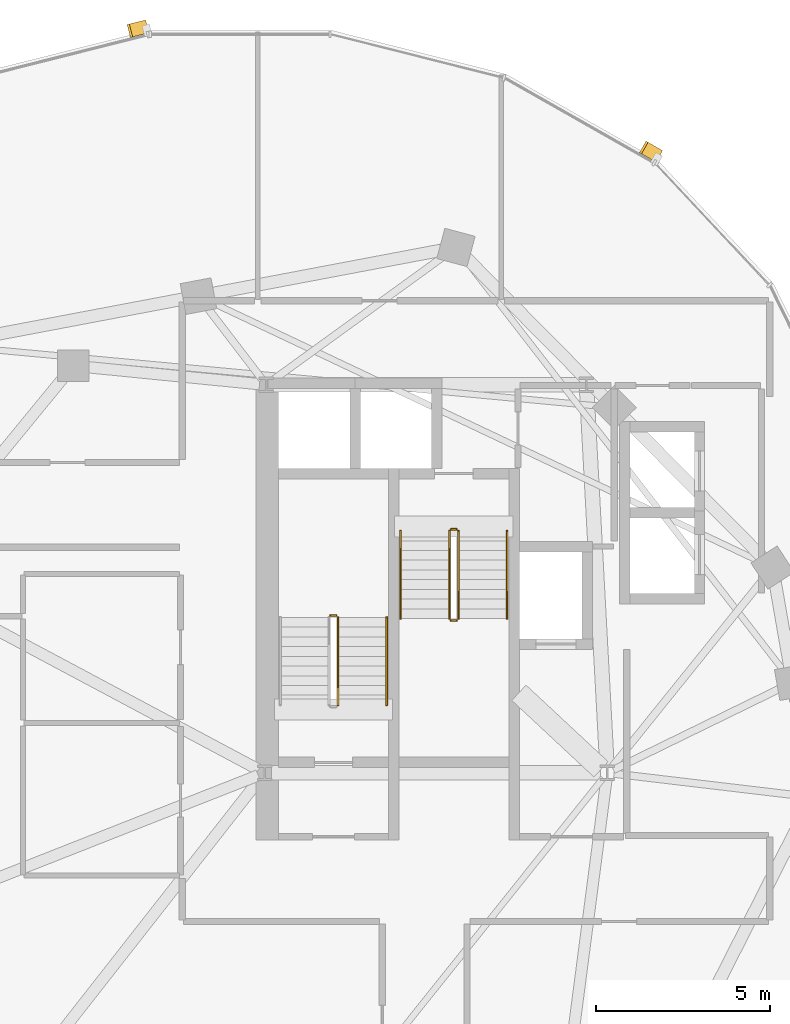
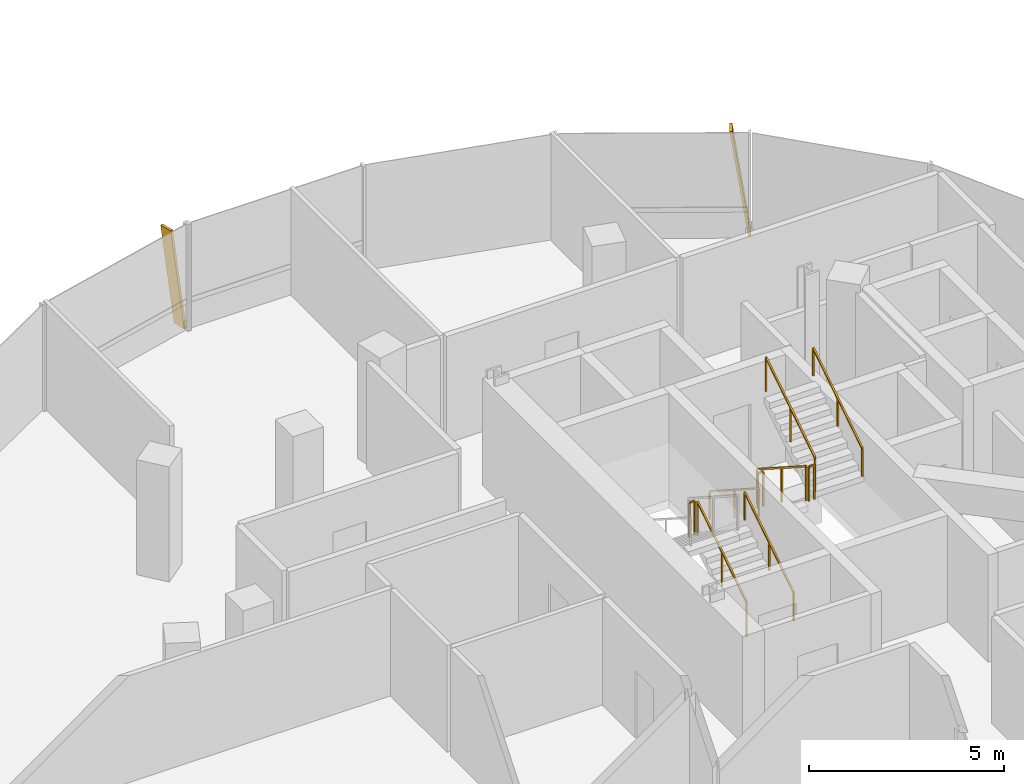
# One storey, part 23 of 25: 9 railings, 2 shading devices.
"""IFC4 building model written with IfcOpenShell, lengths in metres."""

from ifc_helpers import new_model, si_unit, direction, frame, origin, origin_2d, place, context, subcontext, project, spatial, rectangle, extrude, material, material_profile, profile_set, type_object, element, save


model = new_model("IFC4")

# Units and contexts
model_context = context("Model", 3, precision=1e-05, world=origin(), true_north=direction((0.0, 1.0)))
body_context = subcontext(model_context, "Body", "Model", "MODEL_VIEW")
ifc_project = project(units=[si_unit("LENGTHUNIT", "METRE"), si_unit("AREAUNIT", "SQUARE_METRE"), si_unit("VOLUMEUNIT", "CUBIC_METRE"), si_unit("PLANEANGLEUNIT", "RADIAN"), si_unit("MASSUNIT", "GRAM", prefix="KILO"), si_unit("THERMODYNAMICTEMPERATUREUNIT", "KELVIN"), si_unit("POWERUNIT", "WATT")], contexts=[model_context])

# Site, building, storey
site_placement = place(None, origin())
site = spatial("IfcSite", under=ifc_project, at=site_placement, CompositionType="ELEMENT")
building_placement = place(site_placement, origin())
building = spatial("IfcBuilding", under=site, at=building_placement, Name="Cundina Bronze Exchange", CompositionType="ELEMENT")
storey_placement = place(building_placement, frame((0.0, 0.0, 220.60009765625)))
storey = spatial("IfcBuildingStorey", under=building, at=storey_placement, Name="L58", CompositionType="ELEMENT", Elevation=220.60009765625)

# Railings
ifc_material_1 = material(Name="Steel ASTM A36 Painted", Category="steel")
railing_type_1 = type_object("IfcRailingType", Name="RLG-HND-900", PredefinedType="HANDRAIL", material=ifc_material_1)
railing_1_placement = place(storey_placement, frame((-27.7900390625, 5.85009765625, 0.179931640625)))
element("IfcRailing", 1, at=railing_1_placement, inside=storey, type_object=railing_type_1, Name="L58 ST-W1 stair handrail 1", PredefinedType="HANDRAIL", context=body_context, shape_type="SweptSolid", body=[
    extrude(rectangle(XDim=0.048095703125, YDim=0.048095703125, at=origin_2d()), frame((0.0, 0.0, 0.8759765625), z_axis=(0.0, 0.841199657755, 0.540724639528), x_axis=(-1.0, 0.0, 0.0)), (0.0, 0.0, 1.0), 2.995849609375),
    extrude(rectangle(XDim=0.0419921875, YDim=0.0419921875, at=origin_2d()), origin(), (0.0, 0.0, 1.0), 0.851806640625),
    extrude(rectangle(XDim=0.0419921875, YDim=0.0419921875, at=origin_2d()), frame((0.0, 1.260009765625, 0.81005859375)), (0.0, 0.0, 1.0), 0.851806640625),
    extrude(rectangle(XDim=0.0419921875, YDim=0.0419921875, at=origin_2d()), frame((0.0, 2.52001953125, 1.619873046875)), (0.0, 0.0, 1.0), 0.851806640625),
])
railing_2_placement = place(storey_placement, frame((-27.389892578125, 10.85009765625, 0.179931640625)))
element("IfcRailing", 2, at=railing_2_placement, inside=storey, type_object=railing_type_1, Name="L58 ST-W2 stair handrail 1", PredefinedType="HANDRAIL", context=body_context, shape_type="SweptSolid", body=[
    extrude(rectangle(XDim=0.048095703125, YDim=0.048095703125, at=origin_2d()), frame((0.0, 0.0, 0.8759765625), z_axis=(0.0, -0.841199657755, 0.540724639528), x_axis=(1.0, 0.0, 0.0)), (0.0, 0.0, 1.0), 2.995849609375),
    extrude(rectangle(XDim=0.0419921875, YDim=0.0419921875, at=origin_2d()), origin(), (0.0, 0.0, 1.0), 0.851806640625),
    extrude(rectangle(XDim=0.0419921875, YDim=0.0419921875, at=origin_2d()), frame((0.0, -1.260009765625, 0.81005859375)), (0.0, 0.0, 1.0), 0.851806640625),
    extrude(rectangle(XDim=0.0419921875, YDim=0.0419921875, at=origin_2d()), frame((0.0, -2.52001953125, 1.619873046875)), (0.0, 0.0, 1.0), 0.851806640625),
])
railing_3_placement = place(storey_placement, frame((-24.330078125, 8.330078125, 1.97998046875)))
element("IfcRailing", 3, at=railing_3_placement, inside=storey, type_object=railing_type_1, Name="L58 ST-W2 stair handrail 2", PredefinedType="HANDRAIL", context=body_context, shape_type="SweptSolid", body=[
    extrude(rectangle(XDim=0.048095703125, YDim=0.048095703125, at=origin_2d()), frame((0.0, 0.0, 0.8759765625), z_axis=(0.0, 0.841199657755, 0.540724639528), x_axis=(-1.0, 0.0, 0.0)), (0.0, 0.0, 1.0), 2.995849609375),
    extrude(rectangle(XDim=0.0419921875, YDim=0.0419921875, at=origin_2d()), origin(), (0.0, 0.0, 1.0), 0.851806640625),
    extrude(rectangle(XDim=0.0419921875, YDim=0.0419921875, at=origin_2d()), frame((0.0, 1.260009765625, 0.81005859375)), (0.0, 0.0, 1.0), 0.851806640625),
    extrude(rectangle(XDim=0.0419921875, YDim=0.0419921875, at=origin_2d()), frame((0.0, 2.52001953125, 1.619873046875)), (0.0, 0.0, 1.0), 0.851806640625),
])
railing_type_2 = type_object("IfcRailingType", Name="RLG-STG-1100", PredefinedType="GUARDRAIL", material=ifc_material_1)
railing_4_placement = place(storey_placement, frame((-29.18994140625, 5.85009765625, 0.179931640625)))
element("IfcRailing", 4, at=railing_4_placement, inside=storey, type_object=railing_type_2, Name="L58 ST-W1 stair guard 1", PredefinedType="GUARDRAIL", context=body_context, shape_type="SweptSolid", body=[
    extrude(rectangle(XDim=0.048095703125, YDim=0.048095703125, at=origin_2d()), frame((0.0, 0.0, 1.076171875), z_axis=(0.0, 0.841199657755, 0.540724639528), x_axis=(-1.0, 0.0, 0.0)), (0.0, 0.0, 1.0), 2.995849609375),
    extrude(rectangle(XDim=0.0419921875, YDim=0.0419921875, at=origin_2d()), origin(), (0.0, 0.0, 1.0), 1.052001953125),
    extrude(rectangle(XDim=0.0419921875, YDim=0.0419921875, at=origin_2d()), frame((0.0, 1.260009765625, 0.81005859375)), (0.0, 0.0, 1.0), 1.052001953125),
    extrude(rectangle(XDim=0.0419921875, YDim=0.0419921875, at=origin_2d()), frame((0.0, 2.52001953125, 1.619873046875)), (0.0, 0.0, 1.0), 1.052001953125),
])
railing_5_placement = place(storey_placement, frame((-29.239990234375, 8.419921875, 1.7998046875)))
element("IfcRailing", 5, at=railing_5_placement, inside=storey, type_object=railing_type_2, Name="L58 ST-W1 stair guard 2", PredefinedType="GUARDRAIL", context=body_context, shape_type="SweptSolid", body=[
    extrude(rectangle(XDim=0.048095703125, YDim=0.048095703125, at=origin_2d()), frame((0.0, 0.0, 1.076171875), z_axis=(-1.0, 0.0, 0.0), x_axis=(0.0, -1.0, 0.0)), (0.0, 0.0, 1.0), 0.159912109375),
    extrude(rectangle(XDim=0.0419921875, YDim=0.0419921875, at=origin_2d()), origin(), (0.0, 0.0, 1.0), 1.052001953125),
    extrude(rectangle(XDim=0.0419921875, YDim=0.0419921875, at=origin_2d()), frame((-0.159912109375, 0.0, 0.0)), (0.0, 0.0, 1.0), 1.052001953125),
])
railing_6_placement = place(storey_placement, frame((-25.989990234375, 10.85009765625, 0.179931640625)))
element("IfcRailing", 6, at=railing_6_placement, inside=storey, type_object=railing_type_2, Name="L58 ST-W2 stair guard 1", PredefinedType="GUARDRAIL", context=body_context, shape_type="SweptSolid", body=[
    extrude(rectangle(XDim=0.048095703125, YDim=0.048095703125, at=origin_2d()), frame((0.0, 0.0, 1.076171875), z_axis=(0.0, -0.841199657755, 0.540724639528), x_axis=(1.0, 0.0, 0.0)), (0.0, 0.0, 1.0), 2.995849609375),
    extrude(rectangle(XDim=0.0419921875, YDim=0.0419921875, at=origin_2d()), origin(), (0.0, 0.0, 1.0), 1.052001953125),
    extrude(rectangle(XDim=0.0419921875, YDim=0.0419921875, at=origin_2d()), frame((0.0, -1.260009765625, 0.81005859375)), (0.0, 0.0, 1.0), 1.052001953125),
    extrude(rectangle(XDim=0.0419921875, YDim=0.0419921875, at=origin_2d()), frame((0.0, -2.52001953125, 1.619873046875)), (0.0, 0.0, 1.0), 1.052001953125),
])
railing_7_placement = place(storey_placement, frame((-25.93994140625, 8.280029296875, 1.7998046875)))
element("IfcRailing", 7, at=railing_7_placement, inside=storey, type_object=railing_type_2, Name="L58 ST-W2 stair guard 2", PredefinedType="GUARDRAIL", context=body_context, shape_type="SweptSolid", body=[
    extrude(rectangle(XDim=0.048095703125, YDim=0.048095703125, at=origin_2d()), frame((0.0, 0.0, 1.076171875), z_axis=(1.0, 0.0, 0.0), x_axis=(0.0, 1.0, 0.0)), (0.0, 0.0, 1.0), 0.159912109375),
    extrude(rectangle(XDim=0.0419921875, YDim=0.0419921875, at=origin_2d()), origin(), (0.0, 0.0, 1.0), 1.052001953125),
    extrude(rectangle(XDim=0.0419921875, YDim=0.0419921875, at=origin_2d()), frame((0.159912109375, 0.0, 0.0)), (0.0, 0.0, 1.0), 1.052001953125),
])
railing_8_placement = place(storey_placement, frame((-25.72998046875, 8.330078125, 1.97998046875)))
element("IfcRailing", 8, at=railing_8_placement, inside=storey, type_object=railing_type_2, Name="L58 ST-W2 stair guard 3", PredefinedType="GUARDRAIL", context=body_context, shape_type="SweptSolid", body=[
    extrude(rectangle(XDim=0.048095703125, YDim=0.048095703125, at=origin_2d()), frame((0.0, 0.0, 1.076171875), z_axis=(0.0, 0.841199657755, 0.540724639528), x_axis=(-1.0, 0.0, 0.0)), (0.0, 0.0, 1.0), 2.995849609375),
    extrude(rectangle(XDim=0.0419921875, YDim=0.0419921875, at=origin_2d()), origin(), (0.0, 0.0, 1.0), 1.052001953125),
    extrude(rectangle(XDim=0.0419921875, YDim=0.0419921875, at=origin_2d()), frame((0.0, 1.260009765625, 0.81005859375)), (0.0, 0.0, 1.0), 1.052001953125),
    extrude(rectangle(XDim=0.0419921875, YDim=0.0419921875, at=origin_2d()), frame((0.0, 2.52001953125, 1.619873046875)), (0.0, 0.0, 1.0), 1.052001953125),
])
railing_9_placement = place(storey_placement, frame((-25.93994140625, 10.89990234375, 0.0)))
element("IfcRailing", 9, at=railing_9_placement, inside=storey, type_object=railing_type_2, Name="L58 ST-W2 stair guard 4", PredefinedType="GUARDRAIL", context=body_context, shape_type="SweptSolid", body=[
    extrude(rectangle(XDim=0.048095703125, YDim=0.048095703125, at=origin_2d()), frame((0.0, 0.0, 1.076171875), z_axis=(1.0, 0.0, 0.0), x_axis=(0.0, 1.0, 0.0)), (0.0, 0.0, 1.0), 0.159912109375),
    extrude(rectangle(XDim=0.0419921875, YDim=0.0419921875, at=origin_2d()), origin(), (0.0, 0.0, 1.0), 1.052001953125),
    extrude(rectangle(XDim=0.0419921875, YDim=0.0419921875, at=origin_2d()), frame((0.159912109375, 0.0, 0.0)), (0.0, 0.0, 1.0), 1.052001953125),
])

# Shading devices
ifc_material_2 = material(Name="Anodised Bronze Aluminium 6063-T6", Category="aluminium")
ifc_material_profile = material_profile(ifc_material_2, rectangle(XDim=0.070068359375, YDim=0.3798828125, at=origin_2d()), Name="FIN70X380", Category="aluminium")
ifc_profile_set = profile_set([ifc_material_profile], Name="Anodised Bronze Aluminium 6063-T6")
shading_device_type = type_object("IfcShadingDeviceType", Name="SHD-FIN-BRZ380", PredefinedType="USERDEFINED", material=ifc_profile_set)
for number, where, z_axis, x_axis, name in (
    (10, (-19.984375, 21.635498046875, 0.02001953125), (-0.125198584402, 0.071092295587, 0.989581325598), (0.86052566695, -0.48863767404, 0.143974997927), "L58 Diagonal Bronze Solar Fin 5"),
    (11, (-34.705810546875, 25.344482421875, 0.02001953125), (-0.139622006633, -0.035143452115, 0.989581039146), (0.959648570899, 0.241547621411, 0.143976966779), "L58 Diagonal Bronze Solar Fin 1"),
):
    element("IfcShadingDevice", number, at=place(storey_placement, frame(where, z_axis=z_axis, x_axis=x_axis)), inside=storey, type_object=shading_device_type, Name=name, ObjectType="FIN", PredefinedType="USERDEFINED", context=body_context, shape_type="SweptSolid", body=[
        extrude(rectangle(XDim=0.070068359375, YDim=0.3798828125, at=origin_2d()), origin(), (0.0, 0.0, 1.0), 3.33447265625),
    ])

save(model, "model.ifc")
